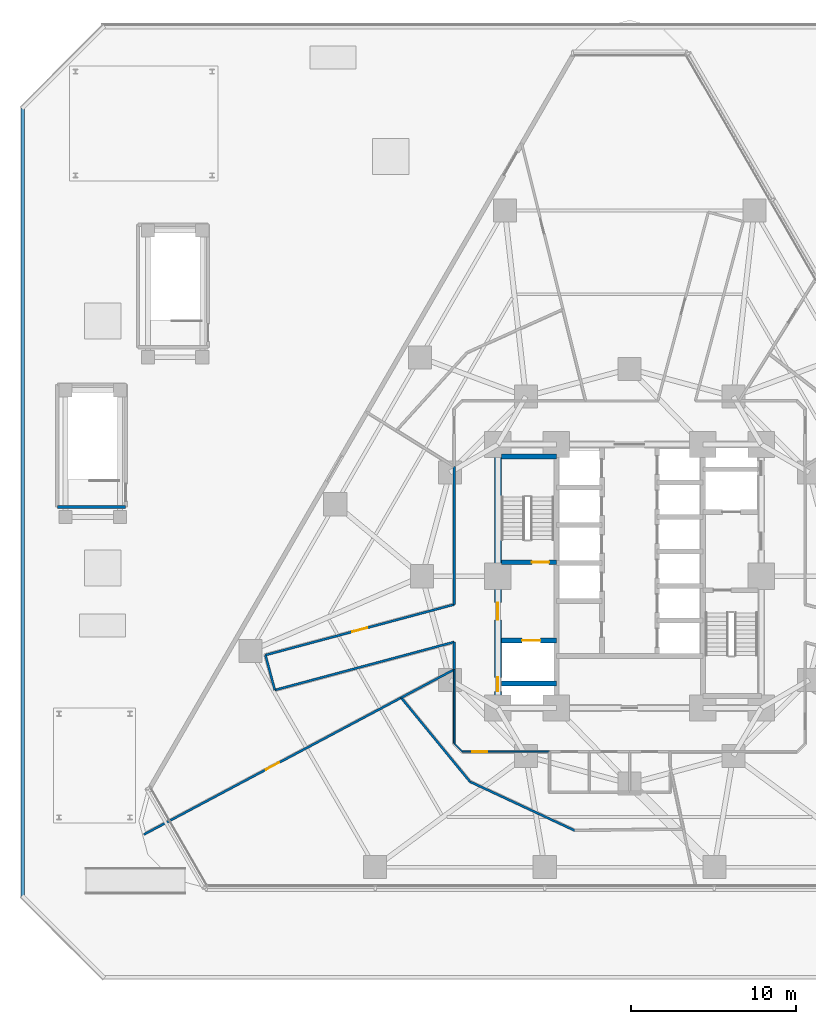
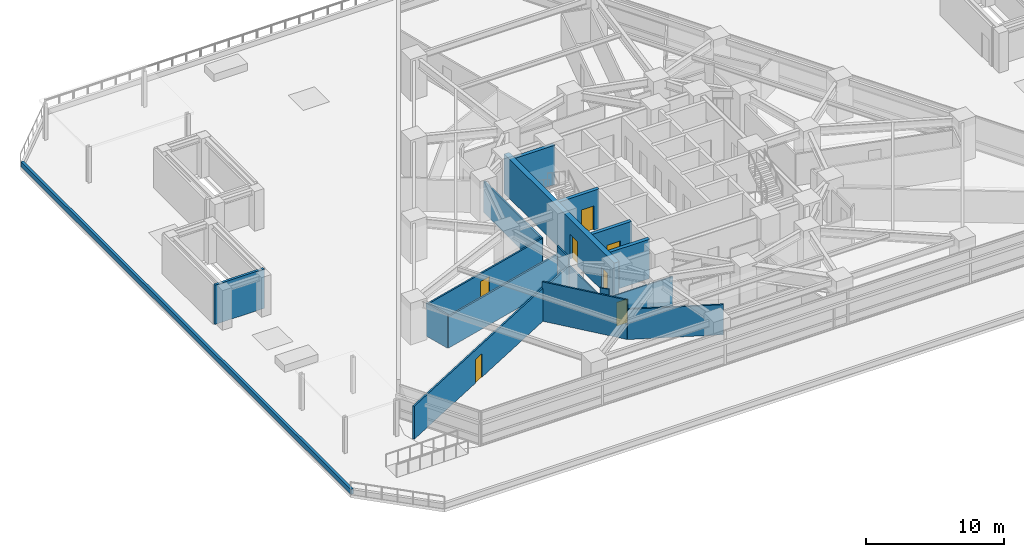
# One storey, part 15 of 23: 19 walls, 7 doors, 7 openings.
"""IFC4 building model written with IfcOpenShell, lengths in metres."""

from ifc_helpers import new_model, si_unit, direction, frame, frame_2d, origin, place, context, subcontext, project, spatial, rectangle, extrude, material, layer, layer_set, type_object, element, fill, save


model = new_model("IFC4")

# Units and contexts
model_context = context("Model", 3, precision=1e-05, world=origin(), true_north=direction((0.0, 1.0)))
body_context = subcontext(model_context, "Body", "Model", "MODEL_VIEW")
ifc_project = project(units=[si_unit("LENGTHUNIT", "METRE"), si_unit("AREAUNIT", "SQUARE_METRE"), si_unit("VOLUMEUNIT", "CUBIC_METRE"), si_unit("PLANEANGLEUNIT", "RADIAN"), si_unit("MASSUNIT", "GRAM", prefix="KILO")], contexts=[model_context])

# Site, building, storey
site_placement = place(None, origin())
site = spatial("IfcSite", under=ifc_project, at=site_placement, CompositionType="ELEMENT")
building_placement = place(site_placement, origin())
building = spatial("IfcBuilding", under=site, at=building_placement, Name="Terralouvre Media Tower", CompositionType="ELEMENT")
storey_placement = place(building_placement, frame((0.0, 0.0, 26.0)))
storey = spatial("IfcBuildingStorey", under=building, at=storey_placement, Name="L05", CompositionType="ELEMENT", Elevation=26.0)

# Wall, opening, door
ifc_material_1 = material(Name="Concrete C50/60", Category="concrete")
ifc_layer_1 = layer(ifc_material_1, 0.300048828125, Name="Core Internal Shaft Wall CW-300")
ifc_layer_set_1 = layer_set([ifc_layer_1], Name="Concrete C50/60")
wall_type_1 = type_object("IfcWallType", Name="Core Internal Shaft Wall CW-300", PredefinedType="SHEAR", material=ifc_layer_set_1)
wall_1_placement = place(storey_placement, frame((-7.7900390625, 0.85009765625, 0.0), z_axis=(0.0, 0.0, 1.0), x_axis=(1.0, 0.0, 0.0)))
wall_1 = element("IfcWall", 1, at=wall_1_placement, inside=storey, type_object=wall_type_1, Name="L05 Core Shaft Wall ST1D", PredefinedType="SHEAR", context=body_context, shape_type="SweptSolid", body=[
    extrude(rectangle(XDim=3.340087890625, YDim=0.300048828125, at=frame_2d((1.669921875, 0.0))), origin(), (0.0, 0.0, 1.0), 3.5),
])
opening_1_placement = place(wall_1_placement, frame((1.85009765625, 0.0, 0.0)))
opening_1 = element("IfcOpeningElement", 2, at=opening_1_placement, cuts=wall_1, Name="Opening FD-01-105X215", PredefinedType="OPENING", context=body_context, shape_type="SweptSolid", body=[
    extrude(rectangle(XDim=1.050048828125, YDim=2.14990234375, at=frame_2d((0.52490234375, 1.074951171875))), frame((0.0, 0.159912109375, 0.0), z_axis=(0.0, -1.0, 0.0), x_axis=(1.0, 0.0, 0.0)), (0.0, 0.0, 1.0), 0.320068359375),
])
ifc_material_2 = material(Name="Galvanised steel fire-resisting leaf", Category="steel")
door_type_1 = type_object("IfcDoorType", Name="Stair and Firefighting Lobby Fire Door FD-01 (1050x2150)", OperationType="NOTDEFINED", PredefinedType="DOOR", material=ifc_material_2)
door_1_placement = place(opening_1_placement, origin())
door_1 = element("IfcDoor", 3, at=door_1_placement, inside=storey, type_object=door_type_1, Name="L05 ST-01 Exit Stair Door", OperationType="SINGLE_SWING_LEFT", OverallHeight=2.14990234375, OverallWidth=1.050048828125, PredefinedType="DOOR", context=body_context, shape_type="SweptSolid", body=[
    extrude(rectangle(XDim=1.050048828125, YDim=2.14990234375, at=frame_2d((0.52490234375, 1.074951171875))), frame((0.0, 0.02490234375, 0.0), z_axis=(0.0, -1.0, 0.0), x_axis=(1.0, 0.0, 0.0)), (0.0, 0.0, 1.0), 0.050048828125),
])
fill(opening_1, door_1)

# Wall
wall_2_placement = place(storey_placement, frame((-7.7900390625, 7.260009765625, 0.0), z_axis=(0.0, 0.0, 1.0), x_axis=(1.0, 0.0, 0.0)))
element("IfcWall", 4, at=wall_2_placement, inside=storey, type_object=wall_type_1, Name="L05 Core Shaft Wall ST1F", PredefinedType="SHEAR", context=body_context, shape_type="SweptSolid", body=[
    extrude(rectangle(XDim=3.340087890625, YDim=0.300048828125, at=frame_2d((1.669921875, 0.0))), origin(), (0.0, 0.0, 1.0), 3.5),
])

# Wall, opening, door
wall_3_placement = place(storey_placement, frame((-7.7900390625, -3.89990234375, 0.0), z_axis=(0.0, 0.0, 1.0), x_axis=(1.0, 0.0, 0.0)))
wall_3 = element("IfcWall", 5, at=wall_3_placement, inside=storey, type_object=wall_type_1, Name="L05 Core Shaft Wall FF1N", PredefinedType="SHEAR", context=body_context, shape_type="SweptSolid", body=[
    extrude(rectangle(XDim=3.340087890625, YDim=0.300048828125, at=frame_2d((1.669921875, 0.0))), origin(), (0.0, 0.0, 1.0), 3.5),
])
opening_2_placement = place(wall_3_placement, frame((1.27001953125, 0.0, 0.0)))
opening_2 = element("IfcOpeningElement", 6, at=opening_2_placement, cuts=wall_3, Name="Opening LD-FF", PredefinedType="OPENING", context=body_context, shape_type="SweptSolid", body=[
    extrude(rectangle(XDim=1.10009765625, YDim=2.10009765625, at=frame_2d((0.550048828125, 1.050048828125))), frame((0.0, 0.159912109375, 0.0), z_axis=(0.0, -1.0, 0.0), x_axis=(1.0, 0.0, 0.0)), (0.0, 0.0, 1.0), 0.320068359375),
])
ifc_material_3 = material(Name="Stainless steel 316 handrail and balustrade", Category="steel")
door_type_2 = type_object("IfcDoorType", Name="Firefighting Lift Sliding Landing Door LD-FF", OperationType="SLIDING_TO_LEFT", PredefinedType="DOOR", material=ifc_material_3)
door_2_placement = place(opening_2_placement, origin())
door_2 = element("IfcDoor", 7, at=door_2_placement, inside=storey, type_object=door_type_2, Name="L05 Firefighting Lift FFL-01 Landing Door", OperationType="SLIDING_TO_LEFT", OverallHeight=2.10009765625, OverallWidth=1.10009765625, PredefinedType="DOOR", context=body_context, shape_type="SweptSolid", body=[
    extrude(rectangle(XDim=1.10009765625, YDim=2.10009765625, at=frame_2d((0.550048828125, 1.050048828125))), frame((0.0, 0.02490234375, 0.0), z_axis=(0.0, -1.0, 0.0), x_axis=(1.0, 0.0, 0.0)), (0.0, 0.0, 1.0), 0.050048828125),
])
fill(opening_2, door_2)

# Wall
wall_4_placement = place(storey_placement, frame((-7.7900390625, -6.5, 0.0), z_axis=(0.0, 0.0, 1.0), x_axis=(1.0, 0.0, 0.0)))
element("IfcWall", 8, at=wall_4_placement, inside=storey, type_object=wall_type_1, Name="L05 Core Shaft Wall FF1S", PredefinedType="SHEAR", context=body_context, shape_type="SweptSolid", body=[
    extrude(rectangle(XDim=3.340087890625, YDim=0.300048828125, at=frame_2d((1.669921875, 0.0))), origin(), (0.0, 0.0, 1.0), 3.5),
])

# Wall, openings, doors
ifc_material_4 = material(Name="Concrete C60/75", Category="concrete")
ifc_layer_2 = layer(ifc_material_4, 0.419921875, Name="Core Reinforced Concrete Shear Wall CW-420")
ifc_layer_set_2 = layer_set([ifc_layer_2], Name="Concrete C60/75")
wall_type_2 = type_object("IfcWallType", Name="Core Reinforced Concrete Shear Wall CW-420", PredefinedType="SHEAR", material=ifc_layer_set_2)
wall_5_placement = place(storey_placement, frame((-8.0, -8.0, 0.0), z_axis=(0.0, 0.0, 1.0), x_axis=(0.0, 1.0, 0.0)))
wall_5 = element("IfcWall", 9, at=wall_5_placement, inside=storey, type_object=wall_type_2, Name="L05 W Core Shear Wall", PredefinedType="SHEAR", context=body_context, shape_type="SweptSolid", body=[
    extrude(rectangle(XDim=16.0, YDim=0.419921875, at=frame_2d((8.0, 0.0))), origin(), (0.0, 0.0, 1.0), 3.5),
])
opening_3_placement = place(wall_5_placement, frame((1.001708984375, 0.0, 0.0)))
opening_3 = element("IfcOpeningElement", 10, at=opening_3_placement, cuts=wall_5, Name="Opening TD-R1", PredefinedType="OPENING", context=body_context, shape_type="SweptSolid", body=[
    extrude(rectangle(XDim=0.85009765625, YDim=2.02001953125, at=frame_2d((0.425048828125, 1.010009765625))), frame((0.0, 0.219970703125, 0.0), z_axis=(0.0, -1.0, 0.0), x_axis=(1.0, 0.0, 0.0)), (0.0, 0.0, 1.0), 0.43994140625),
])
opening_4_placement = place(wall_5_placement, frame((5.35009765625, 0.0, 0.0)))
opening_4 = element("IfcOpeningElement", 11, at=opening_4_placement, cuts=wall_5, Name="Opening FD-01-105X215", PredefinedType="OPENING", context=body_context, shape_type="SweptSolid", body=[
    extrude(rectangle(XDim=1.050048828125, YDim=2.14990234375, at=frame_2d((0.52490234375, 1.074951171875))), frame((0.0, 0.219970703125, 0.0), z_axis=(0.0, -1.0, 0.0), x_axis=(1.0, 0.0, 0.0)), (0.0, 0.0, 1.0), 0.43994140625),
])
ifc_material_5 = material(Name="Galvanised steel fire-resisting leaf", Category="steel")
door_type_3 = type_object("IfcDoorType", Name="Riser Inspection Access Trapdoor TD-R1", OperationType="NOTDEFINED", PredefinedType="TRAPDOOR", material=ifc_material_5)
door_3_placement = place(opening_3_placement, origin())
door_3 = element("IfcDoor", 12, at=door_3_placement, inside=storey, type_object=door_type_3, Name="L05 Wet Riser Access Trapdoor", OperationType="SINGLE_SWING_LEFT", OverallHeight=2.02001953125, OverallWidth=0.85009765625, PredefinedType="TRAPDOOR", context=body_context, shape_type="SweptSolid", body=[
    extrude(rectangle(XDim=0.85009765625, YDim=2.02001953125, at=frame_2d((0.425048828125, 1.010009765625))), frame((0.0, 0.02490234375, 0.0), z_axis=(0.0, -1.0, 0.0), x_axis=(1.0, 0.0, 0.0)), (0.0, 0.0, 1.0), 0.050048828125),
])
fill(opening_3, door_3)
door_4_placement = place(opening_4_placement, origin())
door_4 = element("IfcDoor", 13, at=door_4_placement, inside=storey, type_object=door_type_1, Name="L05 West Firefighting Lobby Entry Door", OperationType="SINGLE_SWING_RIGHT", OverallHeight=2.14990234375, OverallWidth=1.050048828125, PredefinedType="DOOR", context=body_context, shape_type="SweptSolid", body=[
    extrude(rectangle(XDim=1.050048828125, YDim=2.14990234375, at=frame_2d((0.52490234375, 1.074951171875))), frame((0.0, 0.02490234375, 0.0), z_axis=(0.0, -1.0, 0.0), x_axis=(1.0, 0.0, 0.0)), (0.0, 0.0, 1.0), 0.050048828125),
])
fill(opening_4, door_4)

# Walls
ifc_material_6 = material(Name="Low-iron laminated double glazing with solar-control coating", Category="glass")
ifc_layer_3 = layer(ifc_material_6, 0.10009765625, Name="Demountable Glazed Office Partition PT-GL100")
ifc_layer_set_3 = layer_set([ifc_layer_3], Name="Low-iron laminated double glazing with solar-control coating")
wall_type_3 = type_object("IfcWallType", Name="Demountable Glazed Office Partition PT-GL100", PredefinedType="MOVABLE", material=ifc_layer_set_3)
wall_6_placement = place(storey_placement, frame((-10.64990234375, -5.6630859375, 0.0), z_axis=(0.0, 0.0, 1.0), x_axis=(0.0, -1.0, 0.0)))
element("IfcWall", 14, at=wall_6_placement, inside=storey, type_object=wall_type_3, Name="L05 Interior Partition 016", PredefinedType="MOVABLE", context=body_context, shape_type="SweptSolid", body=[
    extrude(rectangle(XDim=4.48681640625, YDim=0.10009765625, at=frame_2d((2.243408203125, 0.0))), origin(), (0.0, 0.0, 1.0), 2.784912109375),
])
wall_7_placement = place(storey_placement, frame((-10.64990234375, -10.14990234375, 0.0), z_axis=(0.0, 0.0, 1.0), x_axis=(0.707106781187, -0.707106781187, 0.0)))
element("IfcWall", 15, at=wall_7_placement, inside=storey, type_object=wall_type_3, Name="L05 Interior Partition 017", PredefinedType="MOVABLE", context=body_context, shape_type="SweptSolid", body=[
    extrude(rectangle(XDim=0.70703125, YDim=0.10009765625, at=frame_2d((0.353515625, 0.0))), origin(), (0.0, 0.0, 1.0), 3.5),
])

# Wall, opening, door
wall_8_placement = place(storey_placement, frame((-10.14990234375, -10.64990234375, 0.0), z_axis=(0.0, 0.0, 1.0), x_axis=(1.0, 0.0, 0.0)))
wall_8 = element("IfcWall", 16, at=wall_8_placement, inside=storey, type_object=wall_type_3, Name="L05 Interior Partition 018", PredefinedType="MOVABLE", context=body_context, shape_type="SweptSolid", body=[
    extrude(rectangle(XDim=5.2998046875, YDim=0.10009765625, at=frame_2d((2.64990234375, 0.0))), origin(), (0.0, 0.0, 1.0), 2.784912109375),
])
opening_5_placement = place(wall_8_placement, frame((0.60009765625, 0.0, 0.0)))
opening_5 = element("IfcOpeningElement", 17, at=opening_5_placement, cuts=wall_8, Name="Opening ID-03-92X210", PredefinedType="OPENING", context=body_context, shape_type="SweptSolid", body=[
    extrude(rectangle(XDim=0.919921875, YDim=2.10009765625, at=frame_2d((0.4599609375, 1.050048828125))), frame((0.0, 0.06005859375, 0.0), z_axis=(0.0, -1.0, 0.0), x_axis=(1.0, 0.0, 0.0)), (0.0, 0.0, 1.0), 0.1201171875),
])
ifc_material_7 = material(Name="Engineered hardwood acoustic timber leaf", Category="wood")
door_type_4 = type_object("IfcDoorType", Name="Accessible Restroom and Suite Door ID-03 (920x2100)", OperationType="NOTDEFINED", PredefinedType="DOOR", material=ifc_material_7)
door_5_placement = place(opening_5_placement, origin())
door_5 = element("IfcDoor", 18, at=door_5_placement, inside=storey, type_object=door_type_4, Name="L05 Morning Rundown Briefing Room 5 Door", OperationType="SINGLE_SWING_LEFT", OverallHeight=2.10009765625, OverallWidth=0.919921875, PredefinedType="DOOR", context=body_context, shape_type="SweptSolid", body=[
    extrude(rectangle(XDim=0.919921875, YDim=2.10009765625, at=frame_2d((0.4599609375, 1.050048828125))), frame((0.0, 0.02490234375, 0.0), z_axis=(0.0, -1.0, 0.0), x_axis=(1.0, 0.0, 0.0)), (0.0, 0.0, 1.0), 0.050048828125),
])
fill(opening_5, door_5)

# Walls
ifc_material_8 = material(Name="Fire-rated gypsum board drywall partition")
ifc_layer_4 = layer(ifc_material_8, 0.199951171875, Name="Fire-Rated Shaft and Lobby Partition FW-200")
ifc_layer_set_4 = layer_set([ifc_layer_4], Name="Fire-rated gypsum board drywall partition")
wall_type_4 = type_object("IfcWallType", Name="Fire-Rated Shaft and Lobby Partition FW-200", PredefinedType="SOLIDWALL", material=ifc_layer_set_4)
wall_9_placement = place(storey_placement, frame((-34.75, 4.199951171875, 0.0), z_axis=(0.0, 0.0, 1.0), x_axis=(1.0, 0.0, 0.0)))
element("IfcWall", 19, at=wall_9_placement, inside=storey, type_object=wall_type_4, Name="L05 ST03 Stair Shaft Wall S", PredefinedType="SOLIDWALL", context=body_context, shape_type="SweptSolid", body=[
    extrude(rectangle(XDim=4.14990234375, YDim=0.199951171875, at=frame_2d((2.074951171875, 0.0))), origin(), (0.0, 0.0, 1.0), 3.5),
])
ifc_material_9 = material(Name="Fire-rated gypsum board drywall partition")
ifc_layer_5 = layer(ifc_material_9, 0.135009765625, Name="Newsroom Acoustic Partition PT-135")
ifc_layer_set_5 = layer_set([ifc_layer_5], Name="Fire-rated gypsum board drywall partition")
wall_type_5 = type_object("IfcWallType", Name="Newsroom Acoustic Partition PT-135", PredefinedType="PARTITIONING", material=ifc_layer_set_5)
wall_10_placement = place(storey_placement, frame((-10.64990234375, 6.655029296875, 0.0), z_axis=(0.0, 0.0, 1.0), x_axis=(0.0, -1.0, 0.0)))
element("IfcWall", 20, at=wall_10_placement, inside=storey, type_object=wall_type_5, Name="L05 Interior Partition 011", PredefinedType="PARTITIONING", context=body_context, shape_type="SweptSolid", body=[
    extrude(rectangle(XDim=8.3701171875, YDim=0.135009765625, at=frame_2d((4.18505859375, 0.0))), origin(), (0.0, 0.0, 1.0), 2.784912109375),
])

# Wall, opening, door
wall_11_placement = place(storey_placement, frame((-10.64990234375, -1.715087890625, 0.0), z_axis=(0.0, 0.0, 1.0), x_axis=(-0.965926659449, -0.258815935688, 0.0)))
wall_11 = element("IfcWall", 21, at=wall_11_placement, inside=storey, type_object=wall_type_5, Name="L05 Interior Partition 012", PredefinedType="PARTITIONING", context=body_context, shape_type="SweptSolid", body=[
    extrude(rectangle(XDim=11.86962890625, YDim=0.135009765625, at=frame_2d((5.934814453125, 0.0))), origin(), (0.0, 0.0, 1.0), 2.784912109375),
])
opening_6_placement = place(wall_11_placement, frame((5.459716796875, 0.0, 0.0)))
opening_6 = element("IfcOpeningElement", 22, at=opening_6_placement, cuts=wall_11, Name="Opening ID-02-95X210", PredefinedType="OPENING", context=body_context, shape_type="SweptSolid", body=[
    extrude(rectangle(XDim=0.949951171875, YDim=2.10009765625, at=frame_2d((0.47509765625, 1.050048828125))), frame((0.0, 0.077392578125, 0.0), z_axis=(0.0, -1.0, 0.0), x_axis=(1.0, 0.0, 0.0)), (0.0, 0.0, 1.0), 0.155029296875),
])
ifc_material_10 = material(Name="Engineered hardwood acoustic timber leaf", Category="wood")
door_type_5 = type_object("IfcDoorType", Name="Office and Meeting Room Door ID-02 (950x2100)", OperationType="NOTDEFINED", PredefinedType="DOOR", material=ifc_material_10)
door_6_placement = place(opening_6_placement, origin())
door_6 = element("IfcDoor", 23, at=door_6_placement, inside=storey, type_object=door_type_5, Name="L05 Assignment Editors Workspace 3 Door", OperationType="SINGLE_SWING_RIGHT", OverallHeight=2.10009765625, OverallWidth=0.949951171875, PredefinedType="DOOR", context=body_context, shape_type="SweptSolid", body=[
    extrude(rectangle(XDim=0.949951171875, YDim=2.10009765625, at=frame_2d((0.47509765625, 1.050048828125))), frame((0.0, 0.02490234375, 0.0), z_axis=(0.0, -1.0, 0.0), x_axis=(1.0, 0.0, 0.0)), (0.0, 0.0, 1.0), 0.050048828125),
])
fill(opening_6, door_6)

# Walls
wall_12_placement = place(storey_placement, frame((-22.114990234375, -4.787109375, 0.0), z_axis=(0.0, 0.0, 1.0), x_axis=(0.259105843213, -0.965848933329, 0.0)))
element("IfcWall", 24, at=wall_12_placement, inside=storey, type_object=wall_type_5, Name="L05 Interior Partition 013", PredefinedType="PARTITIONING", context=body_context, shape_type="SweptSolid", body=[
    extrude(rectangle(XDim=2.2001953125, YDim=0.135009765625, at=frame_2d((1.10009765625, 0.0))), origin(), (0.0, 0.0, 1.0), 2.93505859375),
])
wall_13_placement = place(storey_placement, frame((-21.544921875, -6.912109375, 0.0), z_axis=(0.0, 0.0, 1.0), x_axis=(0.965906888357, 0.258889712088, 0.0)))
element("IfcWall", 25, at=wall_13_placement, inside=storey, type_object=wall_type_5, Name="L05 Interior Partition 014", PredefinedType="PARTITIONING", context=body_context, shape_type="SweptSolid", body=[
    extrude(rectangle(XDim=11.279541015625, YDim=0.135009765625, at=frame_2d((5.6396484375, 0.0))), origin(), (0.0, 0.0, 1.0), 2.784912109375),
])
wall_14_placement = place(storey_placement, frame((-10.64990234375, -3.991943359375, 0.0), z_axis=(0.0, 0.0, 1.0), x_axis=(0.0, -1.0, 0.0)))
element("IfcWall", 26, at=wall_14_placement, inside=storey, type_object=wall_type_5, Name="L05 Interior Partition 015", PredefinedType="PARTITIONING", context=body_context, shape_type="SweptSolid", body=[
    extrude(rectangle(XDim=1.671142578125, YDim=0.135009765625, at=frame_2d((0.83544921875, 0.0))), origin(), (0.0, 0.0, 1.0), 3.5),
])

# Wall, opening, door
wall_15_placement = place(storey_placement, frame((-29.498046875, -15.68408203125, 0.0), z_axis=(0.0, 0.0, 1.0), x_axis=(0.882944182352, 0.46947797696, 0.0)))
wall_15 = element("IfcWall", 27, at=wall_15_placement, inside=storey, type_object=wall_type_5, Name="L05 Interior Partition 038", PredefinedType="PARTITIONING", context=body_context, shape_type="SweptSolid", body=[
    extrude(rectangle(XDim=17.696533203125, YDim=0.135009765625, at=frame_2d((8.84814453125, 0.0))), origin(), (0.0, 0.0, 1.0), 2.93505859375),
])
opening_7_placement = place(wall_15_placement, frame((8.38818359375, 0.0, 0.0)))
opening_7 = element("IfcOpeningElement", 28, at=opening_7_placement, cuts=wall_15, Name="Opening ID-03-92X210", PredefinedType="OPENING", context=body_context, shape_type="SweptSolid", body=[
    extrude(rectangle(XDim=0.919921875, YDim=2.10009765625, at=frame_2d((0.4599609375, 1.050048828125))), frame((0.0, 0.077392578125, 0.0), z_axis=(0.0, -1.0, 0.0), x_axis=(1.0, 0.0, 0.0)), (0.0, 0.0, 1.0), 0.155029296875),
])
door_7_placement = place(opening_7_placement, origin())
door_7 = element("IfcDoor", 29, at=door_7_placement, inside=storey, type_object=door_type_4, Name="L05 Foreign Copy Desk Office 4 Door", OperationType="SINGLE_SWING_RIGHT", OverallHeight=2.10009765625, OverallWidth=0.919921875, PredefinedType="DOOR", context=body_context, shape_type="SweptSolid", body=[
    extrude(rectangle(XDim=0.919921875, YDim=2.10009765625, at=frame_2d((0.4599609375, 1.050048828125))), frame((0.0, 0.02490234375, 0.0), z_axis=(0.0, -1.0, 0.0), x_axis=(1.0, 0.0, 0.0)), (0.0, 0.0, 1.0), 0.050048828125),
])
fill(opening_7, door_7)

# Walls
wall_16_placement = place(storey_placement, frame((-13.873046875, -7.3759765625, 0.0), z_axis=(0.0, 0.0, 1.0), x_axis=(0.883048160598, 0.469282373486, 0.0)))
element("IfcWall", 30, at=wall_16_placement, inside=storey, type_object=wall_type_5, Name="L05 Interior Partition 039", PredefinedType="PARTITIONING", context=body_context, shape_type="SweptSolid", body=[
    extrude(rectangle(XDim=3.64990234375, YDim=0.135009765625, at=frame_2d((1.824951171875, 0.0))), origin(), (0.0, 0.0, 1.0), 2.784912109375),
])
wall_17_placement = place(storey_placement, frame((-3.330078125, -15.445068359375, 0.0), z_axis=(0.0, 0.0, 1.0), x_axis=(-0.90631018164, 0.422613126458, 0.0)))
element("IfcWall", 31, at=wall_17_placement, inside=storey, type_object=wall_type_5, Name="L05 Interior Partition 043", PredefinedType="PARTITIONING", context=body_context, shape_type="SweptSolid", body=[
    extrude(rectangle(XDim=7.018310546875, YDim=0.135009765625, at=frame_2d((3.50927734375, 0.0))), origin(), (0.0, 0.0, 1.0), 2.675048828125),
])
wall_18_placement = place(storey_placement, frame((-9.69091796875, -12.47900390625, 0.0), z_axis=(0.0, 0.0, 1.0), x_axis=(-0.633866270814, 0.773442661562, 0.0)))
element("IfcWall", 32, at=wall_18_placement, inside=storey, type_object=wall_type_5, Name="L05 Interior Partition 044", PredefinedType="PARTITIONING", context=body_context, shape_type="SweptSolid", body=[
    extrude(rectangle(XDim=6.597900390625, YDim=0.135009765625, at=frame_2d((3.298828125, 0.0))), origin(), (0.0, 0.0, 1.0), 3.5),
])
ifc_material_11 = material(Name="Kiln-fired architectural terracotta rainscreen cladding", Category="masonry")
ifc_layer_6 = layer(ifc_material_11, 0.219970703125, Name="Terracotta Parapet Upstand Wall PW-220")
ifc_layer_set_6 = layer_set([ifc_layer_6], Name="Kiln-fired architectural terracotta rainscreen cladding")
wall_type_6 = type_object("IfcWallType", Name="Terracotta Parapet Upstand Wall PW-220", PredefinedType="PARAPET", material=ifc_layer_set_6)
wall_19_placement = place(storey_placement, frame((-36.85009765625, 28.5, 0.0), z_axis=(0.0, 0.0, 1.0), x_axis=(0.0, -1.0, 0.0)))
element("IfcWall", 33, at=wall_19_placement, inside=storey, type_object=wall_type_6, Name="L05 Raised Garden Parapet 07", PredefinedType="PARAPET", context=body_context, shape_type="SweptSolid", body=[
    extrude(rectangle(XDim=48.0, YDim=0.219970703125, at=frame_2d((24.0, 0.0))), origin(), (0.0, 0.0, 1.0), 0.449951171875),
])

save(model, "model.ifc")
